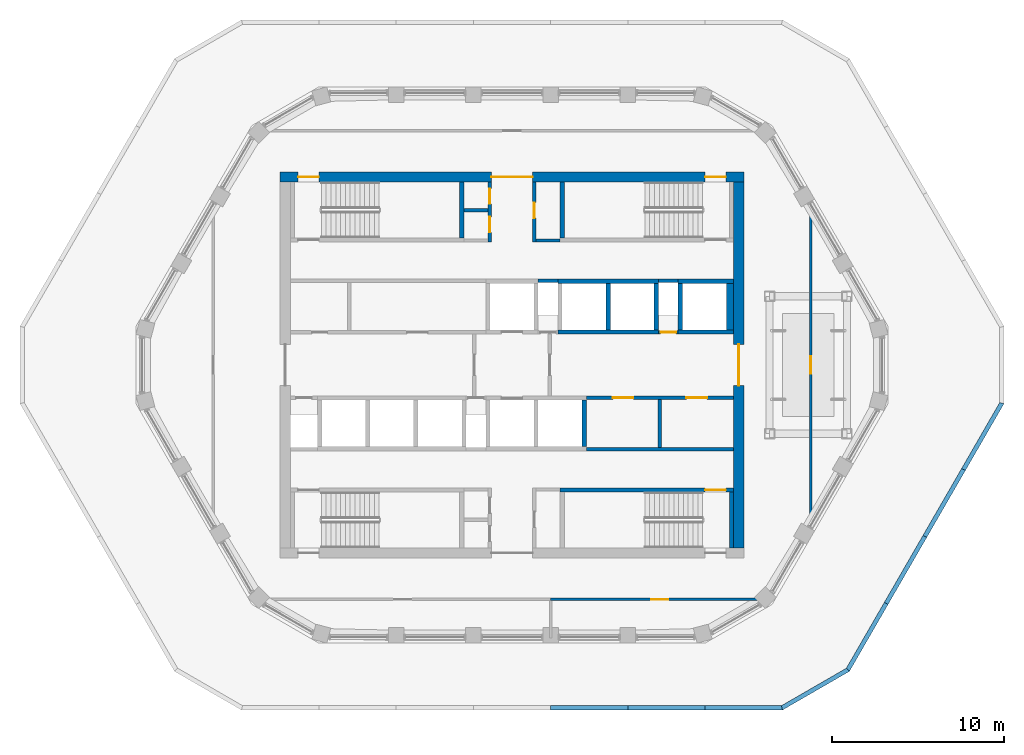
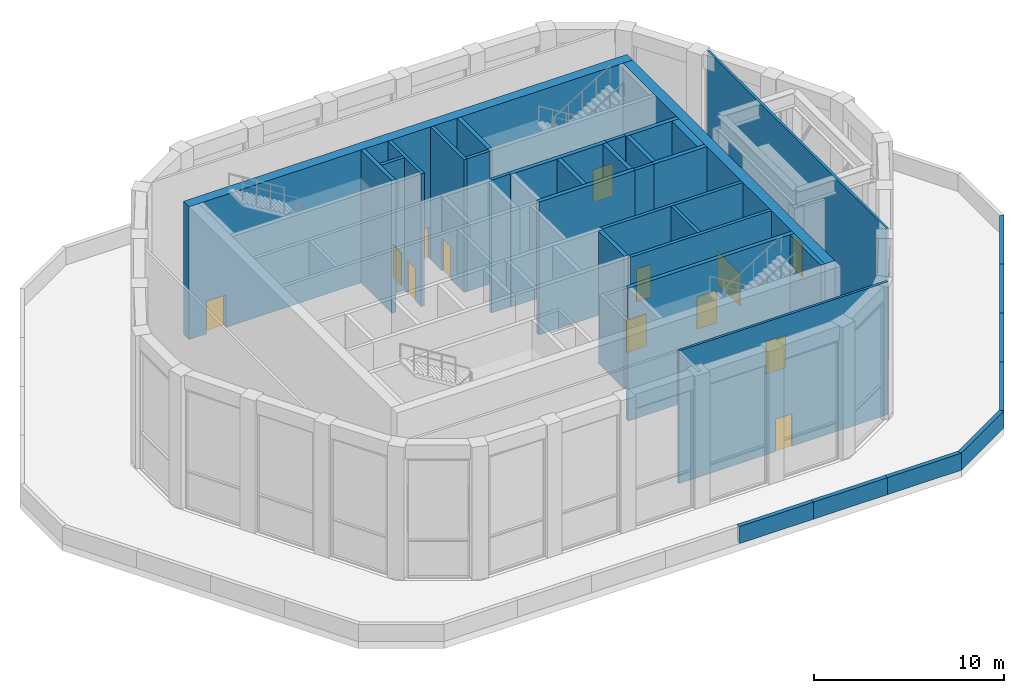
# One storey, part 7 of 11: 35 walls, 13 doors, 13 openings.
"""IFC4 building model written with IfcOpenShell, lengths in metres."""

from ifc_helpers import new_model, si_unit, direction, frame, frame_2d, origin, place, context, subcontext, project, spatial, polyline, rectangle, outline, extrude, material, layer, layer_set, type_object, element, fill, save


model = new_model("IFC4")

# Units and contexts
model_context = context("Model", 3, precision=1e-05, world=origin(), true_north=direction((0.0, 1.0)))
body_context = subcontext(model_context, "Body", "Model", "MODEL_VIEW")
ifc_project = project(units=[si_unit("LENGTHUNIT", "METRE"), si_unit("AREAUNIT", "SQUARE_METRE"), si_unit("VOLUMEUNIT", "CUBIC_METRE"), si_unit("PLANEANGLEUNIT", "RADIAN"), si_unit("MASSUNIT", "GRAM", prefix="KILO")], contexts=[model_context])

# Site, building, storey
site_placement = place(None, origin())
site = spatial("IfcSite", under=ifc_project, at=site_placement, CompositionType="ELEMENT")
building_placement = place(site_placement, origin())
building = spatial("IfcBuilding", under=site, at=building_placement, Name="Dhurran Vertical Campus", CompositionType="ELEMENT")
storey_placement = place(building_placement, frame((0.0, 0.0, 309.89990234375)))
storey = spatial("IfcBuildingStorey", under=building, at=storey_placement, Name="L77 Damper Plant", CompositionType="ELEMENT", Elevation=309.89990234375)

# Walls
ifc_material_1 = material(Name="Precast concrete C50/60", Category="concrete")
ifc_layer_1 = layer(ifc_material_1, 0.25)
ifc_layer_set_1 = layer_set([ifc_layer_1], Name="Precast concrete C50/60")
wall_type_1 = type_object("IfcWallType", Name="Precast parapet 250", PredefinedType="PARAPET", material=ifc_layer_set_1)
wall_1_placement = place(storey_placement, origin())
element("IfcWall", 1, at=wall_1_placement, inside=storey, type_object=wall_type_1, Name="PW1 L77.04", PredefinedType="PARAPET", context=body_context, shape_type="SweptSolid", body=[
    extrude(outline(polyline([(2.25, -20.08837890625), (6.75, -20.08837890625), (6.75, -19.83837890625), (2.25, -19.83837890625), (2.25, -20.08837890625)])), origin(), (0.0, 0.0, 1.0), 1.10009765625),
])
wall_2_placement = place(storey_placement, origin())
element("IfcWall", 2, at=wall_2_placement, inside=storey, type_object=wall_type_1, Name="PW1 L77.05", PredefinedType="PARAPET", context=body_context, shape_type="SweptSolid", body=[
    extrude(outline(polyline([(6.75, -20.08837890625), (11.25, -20.08837890625), (11.25, -19.83837890625), (6.75, -19.83837890625), (6.75, -20.08837890625)])), origin(), (0.0, 0.0, 1.0), 1.10009765625),
])
wall_3_placement = place(storey_placement, origin())
element("IfcWall", 3, at=wall_3_placement, inside=storey, type_object=wall_type_1, Name="PW1 L77.06", PredefinedType="PARAPET", context=body_context, shape_type="SweptSolid", body=[
    extrude(outline(polyline([(11.25, -20.08837890625), (15.75, -20.08837890625), (15.68310546875, -19.83837890625), (11.25, -19.83837890625), (11.25, -20.08837890625)])), origin(), (0.0, 0.0, 1.0), 1.10009765625),
])
wall_4_placement = place(storey_placement, origin())
element("IfcWall", 4, at=wall_4_placement, inside=storey, type_object=wall_type_1, Name="PW1 L77.07", PredefinedType="PARAPET", context=body_context, shape_type="SweptSolid", body=[
    extrude(outline(polyline([(15.75, -20.08837890625), (19.647216796875, -17.83837890625), (19.464111328125, -17.655517578125), (15.68310546875, -19.83837890625), (15.75, -20.08837890625)])), origin(), (0.0, 0.0, 1.0), 1.10009765625),
])
wall_5_placement = place(storey_placement, origin())
element("IfcWall", 5, at=wall_5_placement, inside=storey, type_object=wall_type_1, Name="PW1 L77.08", PredefinedType="PARAPET", context=body_context, shape_type="SweptSolid", body=[
    extrude(outline(polyline([(19.647216796875, -17.83837890625), (21.897216796875, -13.94140625), (21.6806640625, -13.81640625), (19.464111328125, -17.655517578125), (19.647216796875, -17.83837890625)])), origin(), (0.0, 0.0, 1.0), 1.10009765625),
])
wall_6_placement = place(storey_placement, origin())
element("IfcWall", 6, at=wall_6_placement, inside=storey, type_object=wall_type_1, Name="PW1 L77.09", PredefinedType="PARAPET", context=body_context, shape_type="SweptSolid", body=[
    extrude(outline(polyline([(21.897216796875, -13.94140625), (24.147216796875, -10.044189453125), (23.9306640625, -9.919189453125), (21.6806640625, -13.81640625), (21.897216796875, -13.94140625)])), origin(), (0.0, 0.0, 1.0), 1.10009765625),
])
wall_7_placement = place(storey_placement, origin())
element("IfcWall", 7, at=wall_7_placement, inside=storey, type_object=wall_type_1, Name="PW1 L77.10", PredefinedType="PARAPET", context=body_context, shape_type="SweptSolid", body=[
    extrude(outline(polyline([(24.147216796875, -10.044189453125), (26.397216796875, -6.147216796875), (26.1806640625, -6.022216796875), (23.9306640625, -9.919189453125), (24.147216796875, -10.044189453125)])), origin(), (0.0, 0.0, 1.0), 1.10009765625),
])
wall_8_placement = place(storey_placement, origin())
element("IfcWall", 8, at=wall_8_placement, inside=storey, type_object=wall_type_1, Name="PW1 L77.11", PredefinedType="PARAPET", context=body_context, shape_type="SweptSolid", body=[
    extrude(outline(polyline([(26.397216796875, -6.147216796875), (28.647216796875, -2.25), (28.397216796875, -2.18310546875), (26.1806640625, -6.022216796875), (26.397216796875, -6.147216796875)])), origin(), (0.0, 0.0, 1.0), 1.10009765625),
])

# Wall, openings, doors
ifc_material_2 = material(Name="Concrete C50/60", Category="concrete")
ifc_layer_2 = layer(ifc_material_2, 0.60009765625)
ifc_layer_set_2 = layer_set([ifc_layer_2], Name="Concrete C50/60")
wall_type_2 = type_object("IfcWallType", Name="co-CORE-WALL-C2-600", PredefinedType="SHEAR", material=ifc_layer_set_2)
wall_9_placement = place(storey_placement, frame((-13.5, 10.949951171875, 0.0), z_axis=(0.0, 0.0, 1.0), x_axis=(1.0, 0.0, 0.0)))
wall_9 = element("IfcWall", 9, at=wall_9_placement, inside=storey, type_object=wall_type_2, Name="Core wall N L77", PredefinedType="SHEAR", context=body_context, shape_type="SweptSolid", body=[
    extrude(rectangle(XDim=27.0, YDim=0.60009765625, at=frame_2d((13.5, 0.0))), origin(), (0.0, 0.0, 1.0), 8.550048828125),
])
opening_1_placement = place(wall_9_placement, frame((12.300048828125, 0.0, 0.0)))
opening_1 = element("IfcOpeningElement", 10, at=opening_1_placement, cuts=wall_9, Name="Opening CV1", PredefinedType="OPENING", context=body_context, shape_type="SweptSolid", body=[
    extrude(rectangle(XDim=2.39990234375, YDim=2.10009765625, at=frame_2d((1.199951171875, 1.050048828125))), frame((0.0, 0.31005859375, 0.0), z_axis=(0.0, -1.0, 0.0), x_axis=(1.0, 0.0, 0.0)), (0.0, 0.0, 1.0), 0.6201171875),
])
opening_2_placement = place(wall_9_placement, frame((1.050048828125, 0.0, 0.0)))
opening_2 = element("IfcOpeningElement", 11, at=opening_2_placement, cuts=wall_9, Name="Opening XD1", PredefinedType="OPENING", context=body_context, shape_type="SweptSolid", body=[
    extrude(rectangle(XDim=1.199951171875, YDim=2.10009765625, at=frame_2d((0.60009765625, 1.050048828125))), frame((0.0, 0.31005859375, 0.0), z_axis=(0.0, -1.0, 0.0), x_axis=(1.0, 0.0, 0.0)), (0.0, 0.0, 1.0), 0.6201171875),
])
opening_3_placement = place(wall_9_placement, frame((24.75, 0.0, 0.0)))
opening_3 = element("IfcOpeningElement", 12, at=opening_3_placement, cuts=wall_9, Name="Opening XD2", PredefinedType="OPENING", context=body_context, shape_type="SweptSolid", body=[
    extrude(rectangle(XDim=1.199951171875, YDim=2.10009765625, at=frame_2d((0.60009765625, 1.050048828125))), frame((0.0, 0.31005859375, 0.0), z_axis=(0.0, -1.0, 0.0), x_axis=(1.0, 0.0, 0.0)), (0.0, 0.0, 1.0), 0.6201171875),
])
ifc_material_3 = material(Name="Fire-rated glazed door set")
door_type_1 = type_object("IfcDoorType", Name="co-D-LOBBY 2400x2100", OperationType="DOUBLE_DOOR_DOUBLE_SWING", PredefinedType="DOOR", material=ifc_material_3)
door_1_placement = place(opening_1_placement, origin())
door_1 = element("IfcDoor", 13, at=door_1_placement, inside=storey, type_object=door_type_1, Name="Core vestibule door N L77", OperationType="DOUBLE_DOOR_DOUBLE_SWING", OverallHeight=2.10009765625, OverallWidth=2.39990234375, PredefinedType="DOOR", context=body_context, shape_type="SweptSolid", body=[
    extrude(rectangle(XDim=2.39990234375, YDim=2.10009765625, at=frame_2d((1.199951171875, 1.050048828125))), frame((0.0, 0.02490234375, 0.0), z_axis=(0.0, -1.0, 0.0), x_axis=(1.0, 0.0, 0.0)), (0.0, 0.0, 1.0), 0.050048828125),
])
fill(opening_1, door_1)
ifc_material_4 = material(Name="Fire-rated steel door set", Category="steel")
door_type_2 = type_object("IfcDoorType", Name="co-D-STAIR-EXIT 1200x2100", OperationType="SINGLE_SWING_RIGHT", PredefinedType="DOOR", material=ifc_material_4)
door_2_placement = place(opening_2_placement, origin())
door_2 = element("IfcDoor", 14, at=door_2_placement, inside=storey, type_object=door_type_2, Name="Stair ST1 exit door L77", OperationType="SINGLE_SWING_RIGHT", OverallHeight=2.10009765625, OverallWidth=1.199951171875, PredefinedType="DOOR", context=body_context, shape_type="SweptSolid", body=[
    extrude(rectangle(XDim=1.199951171875, YDim=2.10009765625, at=frame_2d((0.60009765625, 1.050048828125))), frame((0.0, 0.02490234375, 0.0), z_axis=(0.0, -1.0, 0.0), x_axis=(1.0, 0.0, 0.0)), (0.0, 0.0, 1.0), 0.050048828125),
])
fill(opening_2, door_2)
door_3_placement = place(opening_3_placement, origin())
door_3 = element("IfcDoor", 15, at=door_3_placement, inside=storey, type_object=door_type_2, Name="Stair ST2 exit door L77", OperationType="SINGLE_SWING_RIGHT", OverallHeight=2.10009765625, OverallWidth=1.199951171875, PredefinedType="DOOR", context=body_context, shape_type="SweptSolid", body=[
    extrude(rectangle(XDim=1.199951171875, YDim=2.10009765625, at=frame_2d((0.60009765625, 1.050048828125))), frame((0.0, 0.02490234375, 0.0), z_axis=(0.0, -1.0, 0.0), x_axis=(1.0, 0.0, 0.0)), (0.0, 0.0, 1.0), 0.050048828125),
])
fill(opening_3, door_3)

# Wall, opening, door
wall_10_placement = place(storey_placement, frame((13.199951171875, -10.64990234375, 0.0), z_axis=(0.0, 0.0, 1.0), x_axis=(0.0, 1.0, 0.0)))
wall_10 = element("IfcWall", 16, at=wall_10_placement, inside=storey, type_object=wall_type_2, Name="Core wall E L77", PredefinedType="SHEAR", context=body_context, shape_type="SweptSolid", body=[
    extrude(rectangle(XDim=21.2998046875, YDim=0.60009765625, at=frame_2d((10.64990234375, 0.0))), origin(), (0.0, 0.0, 1.0), 8.550048828125),
])
opening_4_placement = place(wall_10_placement, frame((9.449951171875, 0.0, 0.0)))
opening_4 = element("IfcOpeningElement", 17, at=opening_4_placement, cuts=wall_10, Name="Opening CL2", PredefinedType="OPENING", context=body_context, shape_type="SweptSolid", body=[
    extrude(rectangle(XDim=2.39990234375, YDim=2.10009765625, at=frame_2d((1.199951171875, 1.050048828125))), frame((0.0, 0.31005859375, 0.0), z_axis=(0.0, -1.0, 0.0), x_axis=(1.0, 0.0, 0.0)), (0.0, 0.0, 1.0), 0.6201171875),
])
door_4_placement = place(opening_4_placement, origin())
door_4 = element("IfcDoor", 18, at=door_4_placement, inside=storey, type_object=door_type_1, Name="Lift lobby door E L77", OperationType="DOUBLE_DOOR_DOUBLE_SWING", OverallHeight=2.10009765625, OverallWidth=2.39990234375, PredefinedType="DOOR", context=body_context, shape_type="SweptSolid", body=[
    extrude(rectangle(XDim=2.39990234375, YDim=2.10009765625, at=frame_2d((1.199951171875, 1.050048828125))), frame((0.0, 0.02490234375, 0.0), z_axis=(0.0, -1.0, 0.0), x_axis=(1.0, 0.0, 0.0)), (0.0, 0.0, 1.0), 0.050048828125),
])
fill(opening_4, door_4)

# Walls
ifc_material_5 = material(Name="Fire-rated masonry blockwork", Category="masonry")
ifc_layer_3 = layer(ifc_material_5, 0.199951171875)
ifc_layer_set_3 = layer_set([ifc_layer_3], Name="Fire-rated masonry blockwork")
wall_type_3 = type_object("IfcWallType", Name="co-FIRE-PARTITION-200", PredefinedType="PARTITIONING", material=ifc_layer_set_3)
for number, where, z_axis, x_axis, name in (
    (19, (-2.800048828125, 9.0, 0.0), (0.0, 0.0, 1.0), (1.0, 0.0, 0.0), "Core partition sl-NW-cut0 L77"),
    (20, (1.39990234375, 7.25, 0.0), (0.0, 0.0, 1.0), (1.0, 0.0, 0.0), "Core partition sl-NE-S L77"),
):
    element("IfcWall", number, at=place(storey_placement, frame(where, z_axis=z_axis, x_axis=x_axis)), inside=storey, type_object=wall_type_3, Name=name, PredefinedType="PARTITIONING", context=body_context, shape_type="SweptSolid", body=[
        extrude(rectangle(XDim=1.400146484375, YDim=0.199951171875, at=frame_2d((0.7001953125, 0.0))), origin(), (0.0, 0.0, 1.0), 8.550048828125),
    ])

# Wall, openings, doors
wall_11_placement = place(storey_placement, frame((-1.300048828125, 7.14990234375, 0.0), z_axis=(0.0, 0.0, 1.0), x_axis=(0.0, 1.0, 0.0)))
wall_11 = element("IfcWall", 21, at=wall_11_placement, inside=storey, type_object=wall_type_3, Name="Core partition vest-NW L77", PredefinedType="PARTITIONING", context=body_context, shape_type="SweptSolid", body=[
    extrude(rectangle(XDim=3.5, YDim=0.199951171875, at=frame_2d((1.75, 0.0))), origin(), (0.0, 0.0, 1.0), 8.550048828125),
])
opening_5_placement = place(wall_11_placement, frame((0.574951171875, 0.0, 0.0)))
opening_5 = element("IfcOpeningElement", 22, at=opening_5_placement, cuts=wall_11, Name="Opening CR77-C4", PredefinedType="OPENING", context=body_context, shape_type="SweptSolid", body=[
    extrude(rectangle(XDim=0.89990234375, YDim=2.10009765625, at=frame_2d((0.449951171875, 1.050048828125))), frame((0.0, 0.10986328125, 0.0), z_axis=(0.0, -1.0, 0.0), x_axis=(1.0, 0.0, 0.0)), (0.0, 0.0, 1.0), 0.219970703125),
])
opening_6_placement = place(wall_11_placement, frame((2.22509765625, 0.0, 0.0)))
opening_6 = element("IfcOpeningElement", 23, at=opening_6_placement, cuts=wall_11, Name="Opening CR77-C5", PredefinedType="OPENING", context=body_context, shape_type="SweptSolid", body=[
    extrude(rectangle(XDim=0.89990234375, YDim=2.10009765625, at=frame_2d((0.449951171875, 1.050048828125))), frame((0.0, 0.10986328125, 0.0), z_axis=(0.0, -1.0, 0.0), x_axis=(1.0, 0.0, 0.0)), (0.0, 0.0, 1.0), 0.219970703125),
])
ifc_material_6 = material(Name="Fire-rated timber door set", Category="wood")
door_type_3 = type_object("IfcDoorType", Name="co-D-ROOM 900x2100", OperationType="SINGLE_SWING_LEFT", PredefinedType="DOOR", material=ifc_material_6)
door_5_placement = place(opening_5_placement, origin())
door_5 = element("IfcDoor", 24, at=door_5_placement, inside=storey, type_object=door_type_3, Name="Cleaner's store door L77", OperationType="SINGLE_SWING_LEFT", OverallHeight=2.10009765625, OverallWidth=0.89990234375, PredefinedType="DOOR", context=body_context, shape_type="SweptSolid", body=[
    extrude(rectangle(XDim=0.89990234375, YDim=2.10009765625, at=frame_2d((0.449951171875, 1.050048828125))), frame((0.0, 0.02490234375, 0.0), z_axis=(0.0, -1.0, 0.0), x_axis=(1.0, 0.0, 0.0)), (0.0, 0.0, 1.0), 0.050048828125),
])
fill(opening_5, door_5)
door_6_placement = place(opening_6_placement, origin())
door_6 = element("IfcDoor", 25, at=door_6_placement, inside=storey, type_object=door_type_3, Name="Server room door L77", OperationType="SINGLE_SWING_LEFT", OverallHeight=2.10009765625, OverallWidth=0.89990234375, PredefinedType="DOOR", context=body_context, shape_type="SweptSolid", body=[
    extrude(rectangle(XDim=0.89990234375, YDim=2.10009765625, at=frame_2d((0.449951171875, 1.050048828125))), frame((0.0, 0.02490234375, 0.0), z_axis=(0.0, -1.0, 0.0), x_axis=(1.0, 0.0, 0.0)), (0.0, 0.0, 1.0), 0.050048828125),
])
fill(opening_6, door_6)

# Wall, opening, door
wall_12_placement = place(storey_placement, frame((1.300048828125, 7.14990234375, 0.0), z_axis=(0.0, 0.0, 1.0), x_axis=(0.0, 1.0, 0.0)))
wall_12 = element("IfcWall", 26, at=wall_12_placement, inside=storey, type_object=wall_type_3, Name="Core partition vest-NE L77", PredefinedType="PARTITIONING", context=body_context, shape_type="SweptSolid", body=[
    extrude(rectangle(XDim=3.5, YDim=0.199951171875, at=frame_2d((1.75, 0.0))), origin(), (0.0, 0.0, 1.0), 8.550048828125),
])
opening_7_placement = place(wall_12_placement, frame((1.39990234375, 0.0, 0.0)))
opening_7 = element("IfcOpeningElement", 27, at=opening_7_placement, cuts=wall_12, Name="Opening CR77-C6", PredefinedType="OPENING", context=body_context, shape_type="SweptSolid", body=[
    extrude(rectangle(XDim=0.89990234375, YDim=2.10009765625, at=frame_2d((0.449951171875, 1.050048828125))), frame((0.0, 0.10986328125, 0.0), z_axis=(0.0, -1.0, 0.0), x_axis=(1.0, 0.0, 0.0)), (0.0, 0.0, 1.0), 0.219970703125),
])
door_7_placement = place(opening_7_placement, origin())
door_7 = element("IfcDoor", 28, at=door_7_placement, inside=storey, type_object=door_type_3, Name="Water riser door L77", OperationType="SINGLE_SWING_LEFT", OverallHeight=2.10009765625, OverallWidth=0.89990234375, PredefinedType="DOOR", context=body_context, shape_type="SweptSolid", body=[
    extrude(rectangle(XDim=0.89990234375, YDim=2.10009765625, at=frame_2d((0.449951171875, 1.050048828125))), frame((0.0, 0.02490234375, 0.0), z_axis=(0.0, -1.0, 0.0), x_axis=(1.0, 0.0, 0.0)), (0.0, 0.0, 1.0), 0.050048828125),
])
fill(opening_7, door_7)

# Wall
wall_13_placement = place(storey_placement, frame((1.52490234375, 4.89990234375, 0.0), z_axis=(0.0, 0.0, 1.0), x_axis=(1.0, 0.0, 0.0)))
element("IfcWall", 29, at=wall_13_placement, inside=storey, type_object=wall_type_3, Name="Core partition fr-N1-b L77", PredefinedType="PARTITIONING", context=body_context, shape_type="SweptSolid", body=[
    extrude(rectangle(XDim=1.150146484375, YDim=0.199951171875, at=frame_2d((0.5751953125, 0.0))), origin(), (0.0, 0.0, 1.0), 8.550048828125),
])

# Wall, opening, door
wall_14_placement = place(storey_placement, frame((8.52490234375, 1.89990234375, 0.0), z_axis=(0.0, 0.0, 1.0), x_axis=(1.0, 0.0, 0.0)))
wall_14 = element("IfcWall", 30, at=wall_14_placement, inside=storey, type_object=wall_type_3, Name="Core partition fr-N2-f L77", PredefinedType="PARTITIONING", context=body_context, shape_type="SweptSolid", body=[
    extrude(rectangle(XDim=1.150146484375, YDim=0.199951171875, at=frame_2d((0.5751953125, 0.0))), origin(), (0.0, 0.0, 1.0), 8.550048828125),
])
opening_8_placement = place(wall_14_placement, frame((0.125, 0.0, 0.0)))
opening_8 = element("IfcOpeningElement", 31, at=opening_8_placement, cuts=wall_14, Name="Opening CR77-C10", PredefinedType="OPENING", context=body_context, shape_type="SweptSolid", body=[
    extrude(rectangle(XDim=0.89990234375, YDim=2.10009765625, at=frame_2d((0.449951171875, 1.050048828125))), frame((0.0, 0.10986328125, 0.0), z_axis=(0.0, -1.0, 0.0), x_axis=(1.0, 0.0, 0.0)), (0.0, 0.0, 1.0), 0.219970703125),
])
door_8_placement = place(opening_8_placement, origin())
door_8 = element("IfcDoor", 32, at=door_8_placement, inside=storey, type_object=door_type_3, Name="Electrical riser door L77", OperationType="SINGLE_SWING_LEFT", OverallHeight=2.10009765625, OverallWidth=0.89990234375, PredefinedType="DOOR", context=body_context, shape_type="SweptSolid", body=[
    extrude(rectangle(XDim=0.89990234375, YDim=2.10009765625, at=frame_2d((0.449951171875, 1.050048828125))), frame((0.0, 0.02490234375, 0.0), z_axis=(0.0, -1.0, 0.0), x_axis=(1.0, 0.0, 0.0)), (0.0, 0.0, 1.0), 0.050048828125),
])
fill(opening_8, door_8)

# Walls
wall_15_placement = place(storey_placement, frame((8.52490234375, 4.89990234375, 0.0), z_axis=(0.0, 0.0, 1.0), x_axis=(1.0, 0.0, 0.0)))
element("IfcWall", 33, at=wall_15_placement, inside=storey, type_object=wall_type_3, Name="Core partition fr-N2-b L77", PredefinedType="PARTITIONING", context=body_context, shape_type="SweptSolid", body=[
    extrude(rectangle(XDim=1.150146484375, YDim=0.199951171875, at=frame_2d((0.5751953125, 0.0))), origin(), (0.0, 0.0, 1.0), 8.550048828125),
])
wall_16_placement = place(storey_placement, frame((8.612548828125, -4.800048828125, 0.0), z_axis=(0.0, 0.0, 1.0), x_axis=(0.0, 1.0, 0.0)))
element("IfcWall", 34, at=wall_16_placement, inside=storey, type_object=wall_type_3, Name="Core partition fr-S2-cut0 L77", PredefinedType="PARTITIONING", context=body_context, shape_type="SweptSolid", body=[
    extrude(rectangle(XDim=2.800048828125, YDim=0.199951171875, at=frame_2d((1.39990234375, 0.0))), origin(), (0.0, 0.0, 1.0), 8.550048828125),
])

# Wall, openings, doors
wall_17_placement = place(storey_placement, frame((4.324951171875, -1.89990234375, 0.0), z_axis=(0.0, 0.0, 1.0), x_axis=(1.0, 0.0, 0.0)))
wall_17 = element("IfcWall", 35, at=wall_17_placement, inside=storey, type_object=wall_type_3, Name="Core partition fr-S2-f L77", PredefinedType="PARTITIONING", context=body_context, shape_type="SweptSolid", body=[
    extrude(rectangle(XDim=8.574951171875, YDim=0.199951171875, at=frame_2d((4.28759765625, 0.0))), origin(), (0.0, 0.0, 1.0), 8.550048828125),
])
opening_9_placement = place(wall_17_placement, frame((1.543701171875, 0.0, 0.0)))
opening_9 = element("IfcOpeningElement", 36, at=opening_9_placement, cuts=wall_17, Name="Opening CR77-C13", PredefinedType="OPENING", context=body_context, shape_type="SweptSolid", body=[
    extrude(rectangle(XDim=1.199951171875, YDim=2.10009765625, at=frame_2d((0.60009765625, 1.050048828125))), frame((0.0, 0.10986328125, 0.0), z_axis=(0.0, -1.0, 0.0), x_axis=(1.0, 0.0, 0.0)), (0.0, 0.0, 1.0), 0.219970703125),
])
opening_10_placement = place(wall_17_placement, frame((5.831298828125, 0.0, 0.0)))
opening_10 = element("IfcOpeningElement", 37, at=opening_10_placement, cuts=wall_17, Name="Opening CR77-C14", PredefinedType="OPENING", context=body_context, shape_type="SweptSolid", body=[
    extrude(rectangle(XDim=1.199951171875, YDim=2.10009765625, at=frame_2d((0.60009765625, 1.050048828125))), frame((0.0, 0.10986328125, 0.0), z_axis=(0.0, -1.0, 0.0), x_axis=(1.0, 0.0, 0.0)), (0.0, 0.0, 1.0), 0.219970703125),
])
ifc_material_7 = material(Name="Fire-rated steel door set", Category="steel")
door_type_4 = type_object("IfcDoorType", Name="co-D-ROOM-PASSAGE 1200x2100", OperationType="SINGLE_SWING_RIGHT", PredefinedType="DOOR", material=ifc_material_7)
door_9_placement = place(opening_9_placement, origin())
door_9 = element("IfcDoor", 38, at=door_9_placement, inside=storey, type_object=door_type_4, Name="Communications room door L77", OperationType="SINGLE_SWING_RIGHT", OverallHeight=2.10009765625, OverallWidth=1.199951171875, PredefinedType="DOOR", context=body_context, shape_type="SweptSolid", body=[
    extrude(rectangle(XDim=1.199951171875, YDim=2.10009765625, at=frame_2d((0.60009765625, 1.050048828125))), frame((0.0, 0.02490234375, 0.0), z_axis=(0.0, -1.0, 0.0), x_axis=(1.0, 0.0, 0.0)), (0.0, 0.0, 1.0), 0.050048828125),
])
fill(opening_9, door_9)
door_10_placement = place(opening_10_placement, origin())
door_10 = element("IfcDoor", 39, at=door_10_placement, inside=storey, type_object=door_type_4, Name="Print room door L77", OperationType="SINGLE_SWING_RIGHT", OverallHeight=2.10009765625, OverallWidth=1.199951171875, PredefinedType="DOOR", context=body_context, shape_type="SweptSolid", body=[
    extrude(rectangle(XDim=1.199951171875, YDim=2.10009765625, at=frame_2d((0.60009765625, 1.050048828125))), frame((0.0, 0.02490234375, 0.0), z_axis=(0.0, -1.0, 0.0), x_axis=(1.0, 0.0, 0.0)), (0.0, 0.0, 1.0), 0.050048828125),
])
fill(opening_10, door_10)

# Walls
wall_18_placement = place(storey_placement, frame((4.324951171875, -4.89990234375, 0.0), z_axis=(0.0, 0.0, 1.0), x_axis=(1.0, 0.0, 0.0)))
element("IfcWall", 40, at=wall_18_placement, inside=storey, type_object=wall_type_3, Name="Core partition fr-S2-b L77", PredefinedType="PARTITIONING", context=body_context, shape_type="SweptSolid", body=[
    extrude(rectangle(XDim=8.574951171875, YDim=0.199951171875, at=frame_2d((4.28759765625, 0.0))), origin(), (0.0, 0.0, 1.0), 8.550048828125),
])
ifc_material_8 = material(Name="Concrete C50/60", Category="concrete")
ifc_layer_4 = layer(ifc_material_8, 0.25)
ifc_layer_set_4 = layer_set([ifc_layer_4], Name="Concrete C50/60")
wall_type_4 = type_object("IfcWallType", Name="co-SHAFT-FRONT-250", PredefinedType="SHEAR", material=ifc_layer_set_4)
wall_19_placement = place(storey_placement, frame((2.675048828125, 1.925048828125, 0.0), z_axis=(0.0, 0.0, 1.0), x_axis=(1.0, 0.0, 0.0)))
element("IfcWall", 41, at=wall_19_placement, inside=storey, type_object=wall_type_4, Name="Lift landing wall N L77", PredefinedType="SHEAR", context=body_context, shape_type="SweptSolid", body=[
    extrude(rectangle(XDim=5.849853515625, YDim=0.25, at=frame_2d((2.9248046875, 0.0))), origin(), (0.0, 0.0, 1.0), 8.550048828125),
])
wall_20_placement = place(storey_placement, frame((9.675048828125, 1.925048828125, 0.0), z_axis=(0.0, 0.0, 1.0), x_axis=(1.0, 0.0, 0.0)))
element("IfcWall", 42, at=wall_20_placement, inside=storey, type_object=wall_type_4, Name="Lift landing wall N L77", PredefinedType="SHEAR", context=body_context, shape_type="SweptSolid", body=[
    extrude(rectangle(XDim=3.224853515625, YDim=0.25, at=frame_2d((1.6123046875, 0.0))), origin(), (0.0, 0.0, 1.0), 8.550048828125),
])
ifc_material_9 = material(Name="Concrete C50/60", Category="concrete")
ifc_layer_5 = layer(ifc_material_9, 0.25)
ifc_layer_set_5 = layer_set([ifc_layer_5], Name="Concrete C50/60")
wall_type_5 = type_object("IfcWallType", Name="co-SHAFT-MASS-250", PredefinedType="SHEAR", material=ifc_layer_set_5)
wall_21_placement = place(storey_placement, origin())
element("IfcWall", 43, at=wall_21_placement, inside=storey, type_object=wall_type_5, Name="Lift shaft wall N L77 2", PredefinedType="SHEAR", context=body_context, shape_type="SweptSolid", body=[
    extrude(outline(polyline([(2.675048828125, 4.75), (8.52490234375, 4.75), (8.52490234375, 5.0), (2.675048828125, 5.0), (2.675048828125, 4.75)])), origin(), (0.0, 0.0, 1.0), 8.550048828125),
])
wall_22_placement = place(storey_placement, origin())
element("IfcWall", 44, at=wall_22_placement, inside=storey, type_object=wall_type_5, Name="Lift shaft wall N L77 3", PredefinedType="SHEAR", context=body_context, shape_type="SweptSolid", body=[
    extrude(outline(polyline([(9.675048828125, 4.75), (12.89990234375, 4.75), (12.89990234375, 5.0), (9.675048828125, 5.0), (9.675048828125, 4.75)])), origin(), (0.0, 0.0, 1.0), 8.550048828125),
])
wall_23_placement = place(storey_placement, origin())
element("IfcWall", 45, at=wall_23_placement, inside=storey, type_object=wall_type_5, Name="Lift shaft wall N L77 7", PredefinedType="SHEAR", context=body_context, shape_type="SweptSolid", body=[
    extrude(outline(polyline([(5.47509765625, 2.050048828125), (5.72509765625, 2.050048828125), (5.72509765625, 4.75), (5.47509765625, 4.75), (5.47509765625, 2.050048828125)])), origin(), (0.0, 0.0, 1.0), 8.550048828125),
])
wall_24_placement = place(storey_placement, origin())
element("IfcWall", 46, at=wall_24_placement, inside=storey, type_object=wall_type_5, Name="Lift shaft wall N L77 8", PredefinedType="SHEAR", context=body_context, shape_type="SweptSolid", body=[
    extrude(outline(polyline([(8.27490234375, 2.050048828125), (8.52490234375, 2.050048828125), (8.52490234375, 4.75), (8.27490234375, 4.75), (8.27490234375, 2.050048828125)])), origin(), (0.0, 0.0, 1.0), 8.550048828125),
])
wall_25_placement = place(storey_placement, origin())
element("IfcWall", 47, at=wall_25_placement, inside=storey, type_object=wall_type_5, Name="Lift shaft wall N L77 9", PredefinedType="SHEAR", context=body_context, shape_type="SweptSolid", body=[
    extrude(outline(polyline([(9.675048828125, 2.050048828125), (9.925048828125, 2.050048828125), (9.925048828125, 4.75), (9.675048828125, 4.75), (9.675048828125, 2.050048828125)])), origin(), (0.0, 0.0, 1.0), 8.550048828125),
])
wall_26_placement = place(storey_placement, origin())
element("IfcWall", 48, at=wall_26_placement, inside=storey, type_object=wall_type_5, Name="Lift shaft wall N L77 10", PredefinedType="SHEAR", context=body_context, shape_type="SweptSolid", body=[
    extrude(outline(polyline([(12.47509765625, 2.050048828125), (12.89990234375, 2.050048828125), (12.89990234375, 4.75), (12.47509765625, 4.75), (12.47509765625, 2.050048828125)])), origin(), (0.0, 0.0, 1.0), 8.550048828125),
])
wall_27_placement = place(storey_placement, origin())
element("IfcWall", 49, at=wall_27_placement, inside=storey, type_object=wall_type_5, Name="Lift shaft wall S L77 9", PredefinedType="SHEAR", context=body_context, shape_type="SweptSolid", body=[
    extrude(outline(polyline([(4.074951171875, -4.75), (4.324951171875, -4.75), (4.324951171875, -2.050048828125), (4.074951171875, -2.050048828125), (4.074951171875, -4.75)])), origin(), (0.0, 0.0, 1.0), 8.550048828125),
])
ifc_material_10 = material(Name="Concrete C40/50", Category="concrete")
ifc_layer_6 = layer(ifc_material_10, 0.25)
ifc_layer_set_6 = layer_set([ifc_layer_6], Name="Concrete C40/50")
wall_type_6 = type_object("IfcWallType", Name="co-STAIR-WALL-250", PredefinedType="SHEAR", material=ifc_layer_set_6)
for number, where, z_axis, x_axis, name in (
    (50, (-2.925048828125, 7.39990234375, 0.0), (0.0, 0.0, 1.0), (0.0, 1.0, 0.0), "Stair ST1 enclosure wall L77"),
    (51, (2.925048828125, 7.39990234375, 0.0), (0.0, 0.0, 1.0), (0.0, 1.0, 0.0), "Stair ST2 enclosure wall L77"),
):
    element("IfcWall", number, at=place(storey_placement, frame(where, z_axis=z_axis, x_axis=x_axis)), inside=storey, type_object=wall_type_6, Name=name, PredefinedType="SHEAR", context=body_context, shape_type="SweptSolid", body=[
        extrude(rectangle(XDim=3.25, YDim=0.25, at=frame_2d((1.625, 0.0))), origin(), (0.0, 0.0, 1.0), 8.550048828125),
    ])

# Wall, opening, door
wall_28_placement = place(storey_placement, frame((2.800048828125, -7.27490234375, 0.0), z_axis=(0.0, 0.0, 1.0), x_axis=(1.0, 0.0, 0.0)))
wall_28 = element("IfcWall", 52, at=wall_28_placement, inside=storey, type_object=wall_type_6, Name="Stair ST4 enclosure wall L77", PredefinedType="SHEAR", context=body_context, shape_type="SweptSolid", body=[
    extrude(rectangle(XDim=10.099853515625, YDim=0.25, at=frame_2d((5.0498046875, 0.0))), origin(), (0.0, 0.0, 1.0), 8.550048828125),
])
opening_11_placement = place(wall_28_placement, frame((8.449951171875, 0.0, 0.0)))
opening_11 = element("IfcOpeningElement", 53, at=opening_11_placement, cuts=wall_28, Name="Opening SD4", PredefinedType="OPENING", context=body_context, shape_type="SweptSolid", body=[
    extrude(rectangle(XDim=1.199951171875, YDim=2.10009765625, at=frame_2d((0.60009765625, 1.050048828125))), frame((0.0, 0.135009765625, 0.0), z_axis=(0.0, -1.0, 0.0), x_axis=(1.0, 0.0, 0.0)), (0.0, 0.0, 1.0), 0.27001953125),
])
ifc_material_11 = material(Name="Fire-rated steel door set", Category="steel")
door_type_5 = type_object("IfcDoorType", Name="co-D-STAIR 1200x2100", OperationType="SINGLE_SWING_LEFT", PredefinedType="DOOR", material=ifc_material_11)
door_11_placement = place(opening_11_placement, origin())
door_11 = element("IfcDoor", 54, at=door_11_placement, inside=storey, type_object=door_type_5, Name="Stair ST4 door L77", OperationType="SINGLE_SWING_LEFT", OverallHeight=2.10009765625, OverallWidth=1.199951171875, PredefinedType="DOOR", context=body_context, shape_type="SweptSolid", body=[
    extrude(rectangle(XDim=1.199951171875, YDim=2.10009765625, at=frame_2d((0.60009765625, 1.050048828125))), frame((0.0, 0.02490234375, 0.0), z_axis=(0.0, -1.0, 0.0), x_axis=(1.0, 0.0, 0.0)), (0.0, 0.0, 1.0), 0.050048828125),
])
fill(opening_11, door_11)

# Wall
wall_29_placement = place(storey_placement, frame((12.77490234375, -10.64990234375, 0.0), z_axis=(0.0, 0.0, 1.0), x_axis=(0.0, 1.0, 0.0)))
element("IfcWall", 55, at=wall_29_placement, inside=storey, type_object=wall_type_6, Name="Stair ST4 enclosure wall L77", PredefinedType="SHEAR", context=body_context, shape_type="SweptSolid", body=[
    extrude(rectangle(XDim=3.25, YDim=0.25, at=frame_2d((1.625, 0.0))), origin(), (0.0, 0.0, 1.0), 8.550048828125),
])

# Wall, opening, door
ifc_material_12 = material(Name="Gypsum board corridor wall on steel studs", Category="steel")
ifc_layer_7 = layer(ifc_material_12, 0.14990234375)
ifc_layer_set_7 = layer_set([ifc_layer_7], Name="Gypsum board corridor wall on steel studs")
wall_type_7 = type_object("IfcWallType", Name="fl-CW-150 corridor wall", PredefinedType="PARTITIONING", material=ifc_layer_set_7)
wall_30_placement = place(storey_placement, frame((2.25, -13.64990234375, 0.0), z_axis=(0.0, 0.0, 1.0), x_axis=(1.0, 0.0, 0.0)))
wall_30 = element("IfcWall", 56, at=wall_30_placement, inside=storey, type_object=wall_type_7, Name="Partition 77-05", PredefinedType="PARTITIONING", context=body_context, shape_type="SweptSolid", body=[
    extrude(rectangle(XDim=12.718994140625, YDim=0.14990234375, at=frame_2d((6.359375, 0.0))), origin(), (0.0, 0.0, 1.0), 8.550048828125),
])
opening_12_placement = place(wall_30_placement, frame((5.859619140625, 0.0, 0.0)))
opening_12 = element("IfcOpeningElement", 57, at=opening_12_placement, cuts=wall_30, Name="Opening CR77.04", PredefinedType="OPENING", context=body_context, shape_type="SweptSolid", body=[
    extrude(rectangle(XDim=1.0, YDim=2.10009765625, at=frame_2d((0.5, 1.050048828125))), frame((0.0, 0.0849609375, 0.0), z_axis=(0.0, -1.0, 0.0), x_axis=(1.0, 0.0, 0.0)), (0.0, 0.0, 1.0), 0.169921875),
])
ifc_material_13 = material(Name="Solid-core timber door set, fire-rated", Category="wood")
door_type_6 = type_object("IfcDoorType", Name="fl-D-1000x2100", OperationType="SINGLE_SWING_LEFT", PredefinedType="DOOR", material=ifc_material_13)
door_12_placement = place(opening_12_placement, origin())
door_12 = element("IfcDoor", 58, at=door_12_placement, inside=storey, type_object=door_type_6, Name="Door 77.04", OperationType="SINGLE_SWING_RIGHT", OverallHeight=2.10009765625, OverallWidth=1.0, PredefinedType="DOOR", context=body_context, shape_type="SweptSolid", body=[
    extrude(rectangle(XDim=1.0, YDim=2.10009765625, at=frame_2d((0.5, 1.050048828125))), frame((0.0, 0.02490234375, 0.0), z_axis=(0.0, -1.0, 0.0), x_axis=(1.0, 0.0, 0.0)), (0.0, 0.0, 1.0), 0.050048828125),
])
fill(opening_12, door_12)

wall_31_placement = place(storey_placement, frame((17.39990234375, -9.43896484375, 0.0), z_axis=(0.0, 0.0, 1.0), x_axis=(0.0, 1.0, 0.0)))
wall_31 = element("IfcWall", 59, at=wall_31_placement, inside=storey, type_object=wall_type_7, Name="Partition 77-06", PredefinedType="PARTITIONING", context=body_context, shape_type="SweptSolid", body=[
    extrude(rectangle(XDim=18.8779296875, YDim=0.14990234375, at=frame_2d((9.43896484375, 0.0))), origin(), (0.0, 0.0, 1.0), 8.550048828125),
])
opening_13_placement = place(wall_31_placement, frame((8.93896484375, 0.0, 0.0)))
opening_13 = element("IfcOpeningElement", 60, at=opening_13_placement, cuts=wall_31, Name="Opening CR77.05", PredefinedType="OPENING", context=body_context, shape_type="SweptSolid", body=[
    extrude(rectangle(XDim=1.0, YDim=2.10009765625, at=frame_2d((0.5, 1.050048828125))), frame((0.0, 0.0849609375, 0.0), z_axis=(0.0, -1.0, 0.0), x_axis=(1.0, 0.0, 0.0)), (0.0, 0.0, 1.0), 0.169921875),
])
door_13_placement = place(opening_13_placement, origin())
door_13 = element("IfcDoor", 61, at=door_13_placement, inside=storey, type_object=door_type_6, Name="Door 77.05", OperationType="SINGLE_SWING_RIGHT", OverallHeight=2.10009765625, OverallWidth=1.0, PredefinedType="DOOR", context=body_context, shape_type="SweptSolid", body=[
    extrude(rectangle(XDim=1.0, YDim=2.10009765625, at=frame_2d((0.5, 1.050048828125))), frame((0.0, 0.02490234375, 0.0), z_axis=(0.0, -1.0, 0.0), x_axis=(1.0, 0.0, 0.0)), (0.0, 0.0, 1.0), 0.050048828125),
])
fill(opening_13, door_13)

save(model, "model.ifc")
